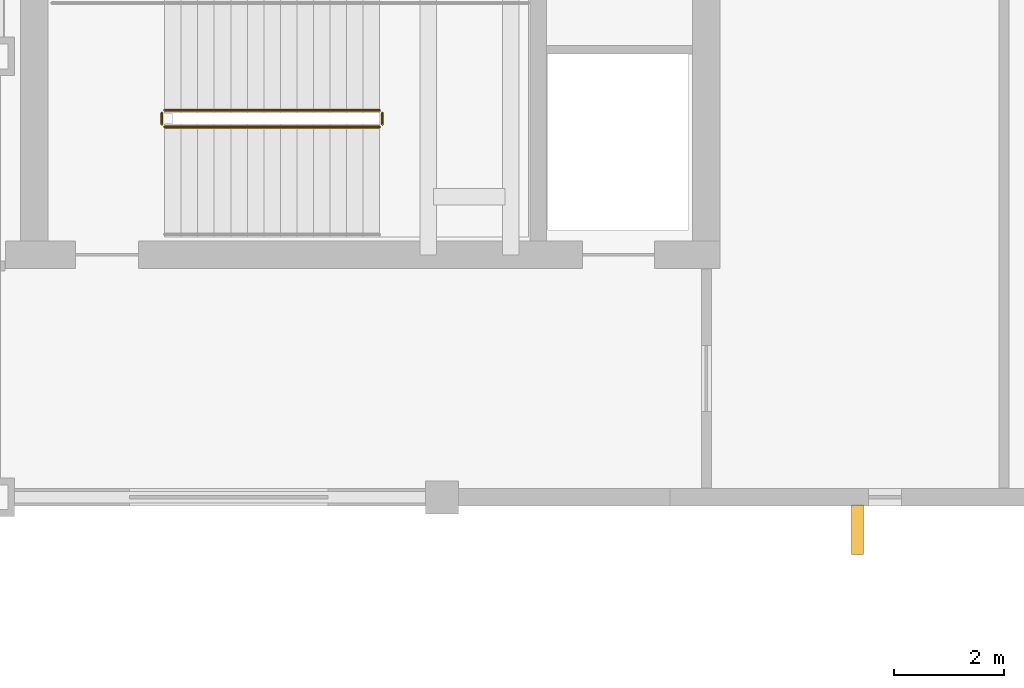
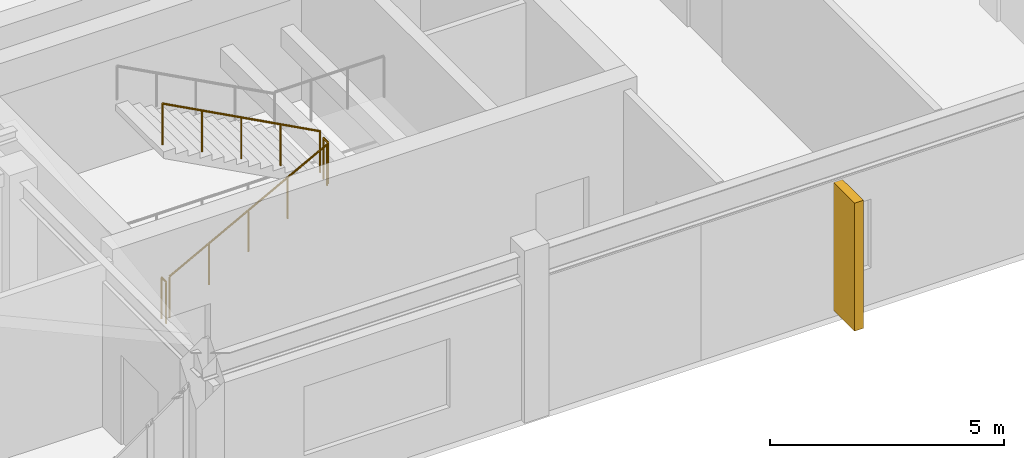
# One storey, part 63 of 67: 4 railings, 1 shading device.
"""IFC4 building model written with IfcOpenShell, lengths in metres."""

from ifc_helpers import new_model, si_unit, direction, frame, origin, origin_2d, place, context, subcontext, project, spatial, rectangle, circle, extrude, material, material_profile, profile_set, type_object, element, save


model = new_model("IFC4")

# Units and contexts
model_context = context("Model", 3, precision=1e-05, world=origin(), true_north=direction((0.0, 1.0)))
body_context = subcontext(model_context, "Body", "Model", "MODEL_VIEW")
ifc_project = project(units=[si_unit("LENGTHUNIT", "METRE"), si_unit("AREAUNIT", "SQUARE_METRE"), si_unit("VOLUMEUNIT", "CUBIC_METRE"), si_unit("PLANEANGLEUNIT", "RADIAN"), si_unit("MASSUNIT", "GRAM", prefix="KILO")], contexts=[model_context])

# Site, building, storey
site_placement = place(None, origin())
site = spatial("IfcSite", under=ifc_project, at=site_placement, CompositionType="ELEMENT")
building_placement = place(site_placement, origin())
building = spatial("IfcBuilding", under=site, at=building_placement, Name="Tarnveldt Square Police Headquarters", CompositionType="ELEMENT")
storey_placement = place(building_placement, frame((0.0, 0.0, 10.199951171875)))
storey = spatial("IfcBuildingStorey", under=building, at=storey_placement, Name="L02", CompositionType="ELEMENT", Elevation=10.199951171875)

# Railings
ifc_material_1 = material(Name="Steel 350W", Category="steel")
railing_type = type_object("IfcRailingType", Name="RL-GR-1100", PredefinedType="GUARDRAIL", material=ifc_material_1)
railing_1_placement = place(storey_placement, frame((108.3701171875, 62.719970703125, 0.16064453125)))
element("IfcRailing", 1, at=railing_1_placement, inside=storey, type_object=railing_type, Name="L02 ST4 stair guard 1", PredefinedType="GUARDRAIL", context=body_context, shape_type="SweptSolid", body=[
    extrude(circle(Radius=0.02392578125, at=origin_2d()), frame((0.0, 0.0, 1.076171875), z_axis=(0.881468485026, 0.0, 0.472242850561), x_axis=(0.0, 1.0, 0.0)), (0.0, 0.0, 1.0), 4.42431640625),
    extrude(circle(Radius=0.02099609375, at=origin_2d()), origin(), (0.0, 0.0, 1.0), 1.052001953125),
    extrude(circle(Radius=0.02099609375, at=origin_2d()), frame((0.97509765625, 0.0, 0.5224609375)), (0.0, 0.0, 1.0), 1.052001953125),
    extrude(circle(Radius=0.02099609375, at=origin_2d()), frame((1.949951171875, 0.0, 1.044677734375)), (0.0, 0.0, 1.0), 1.052001953125),
    extrude(circle(Radius=0.02099609375, at=origin_2d()), frame((2.9248046875, 0.0, 1.56689453125)), (0.0, 0.0, 1.0), 1.052001953125),
    extrude(circle(Radius=0.02099609375, at=origin_2d()), frame((3.89990234375, 0.0, 2.08935546875)), (0.0, 0.0, 1.0), 1.052001953125),
])
railing_2_placement = place(storey_placement, frame((112.320068359375, 62.77001953125, 2.25)))
element("IfcRailing", 2, at=railing_2_placement, inside=storey, type_object=railing_type, Name="L02 ST4 stair guard 2", PredefinedType="GUARDRAIL", context=body_context, shape_type="SweptSolid", body=[
    extrude(circle(Radius=0.02392578125, at=origin_2d()), frame((0.0, 0.0, 1.076171875), z_axis=(0.0, 1.0, 0.0), x_axis=(-1.0, 0.0, 0.0)), (0.0, 0.0, 1.0), 0.199951171875),
    extrude(circle(Radius=0.02099609375, at=origin_2d()), origin(), (0.0, 0.0, 1.0), 1.052001953125),
    extrude(circle(Radius=0.02099609375, at=origin_2d()), frame((0.0, 0.199951171875, 0.0)), (0.0, 0.0, 1.0), 1.052001953125),
])
railing_3_placement = place(storey_placement, frame((112.27001953125, 63.02001953125, 2.41064453125)))
element("IfcRailing", 3, at=railing_3_placement, inside=storey, type_object=railing_type, Name="L02 ST4 stair guard 4", PredefinedType="GUARDRAIL", context=body_context, shape_type="SweptSolid", body=[
    extrude(circle(Radius=0.02392578125, at=origin_2d()), frame((0.0, 0.0, 1.076171875), z_axis=(-0.881468485026, 0.0, 0.472242850561), x_axis=(0.0, -1.0, 0.0)), (0.0, 0.0, 1.0), 4.42431640625),
    extrude(circle(Radius=0.02099609375, at=origin_2d()), origin(), (0.0, 0.0, 1.0), 1.052001953125),
    extrude(circle(Radius=0.02099609375, at=origin_2d()), frame((-0.97509765625, 0.0, 0.5224609375)), (0.0, 0.0, 1.0), 1.052001953125),
    extrude(circle(Radius=0.02099609375, at=origin_2d()), frame((-1.949951171875, 0.0, 1.044677734375)), (0.0, 0.0, 1.0), 1.052001953125),
    extrude(circle(Radius=0.02099609375, at=origin_2d()), frame((-2.9248046875, 0.0, 1.56689453125)), (0.0, 0.0, 1.0), 1.052001953125),
    extrude(circle(Radius=0.02099609375, at=origin_2d()), frame((-3.89990234375, 0.0, 2.08935546875)), (0.0, 0.0, 1.0), 1.052001953125),
])
railing_4_placement = place(storey_placement, frame((108.320068359375, 62.77001953125, 0.0)))
element("IfcRailing", 4, at=railing_4_placement, inside=storey, type_object=railing_type, Name="L02 ST4 stair guard 5", PredefinedType="GUARDRAIL", context=body_context, shape_type="SweptSolid", body=[
    extrude(circle(Radius=0.02392578125, at=origin_2d()), frame((0.0, 0.0, 1.076171875), z_axis=(0.0, 1.0, 0.0), x_axis=(-1.0, 0.0, 0.0)), (0.0, 0.0, 1.0), 0.199951171875),
    extrude(circle(Radius=0.02099609375, at=origin_2d()), origin(), (0.0, 0.0, 1.0), 1.052001953125),
    extrude(circle(Radius=0.02099609375, at=origin_2d()), frame((0.0, 0.199951171875, 0.0)), (0.0, 0.0, 1.0), 1.052001953125),
])

# Shading device
ifc_material_2 = material(Name="Precast concrete 35 MPa", Category="concrete")
ifc_material_profile = material_profile(ifc_material_2, rectangle(XDim=0.219970703125, YDim=0.89990234375, at=origin_2d()), Name="PC-FIN220x900")
ifc_profile_set = profile_set([ifc_material_profile], Name="Precast concrete 35 MPa")
shading_device_type = type_object("IfcShadingDeviceType", Name="SHD-FIN-900", PredefinedType="USERDEFINED", material=ifc_profile_set)
shading_device_placement = place(storey_placement, frame((120.93994140625, 55.409912109375, 0.150146484375), z_axis=(0.0, 0.0, 1.0), x_axis=(1.0, 0.0, 0.0)))
element("IfcShadingDevice", 5, at=shading_device_placement, inside=storey, type_object=shading_device_type, Name="L02 Precast Deep-Reveal Brutalist Fin 022", ObjectType="SOLAR SHADING FIN", PredefinedType="USERDEFINED", context=body_context, shape_type="SweptSolid", body=[
    extrude(rectangle(XDim=0.219970703125, YDim=0.89990234375, at=origin_2d()), origin(), (0.0, 0.0, 1.0), 3.343994140625),
])

save(model, "model.ifc")
